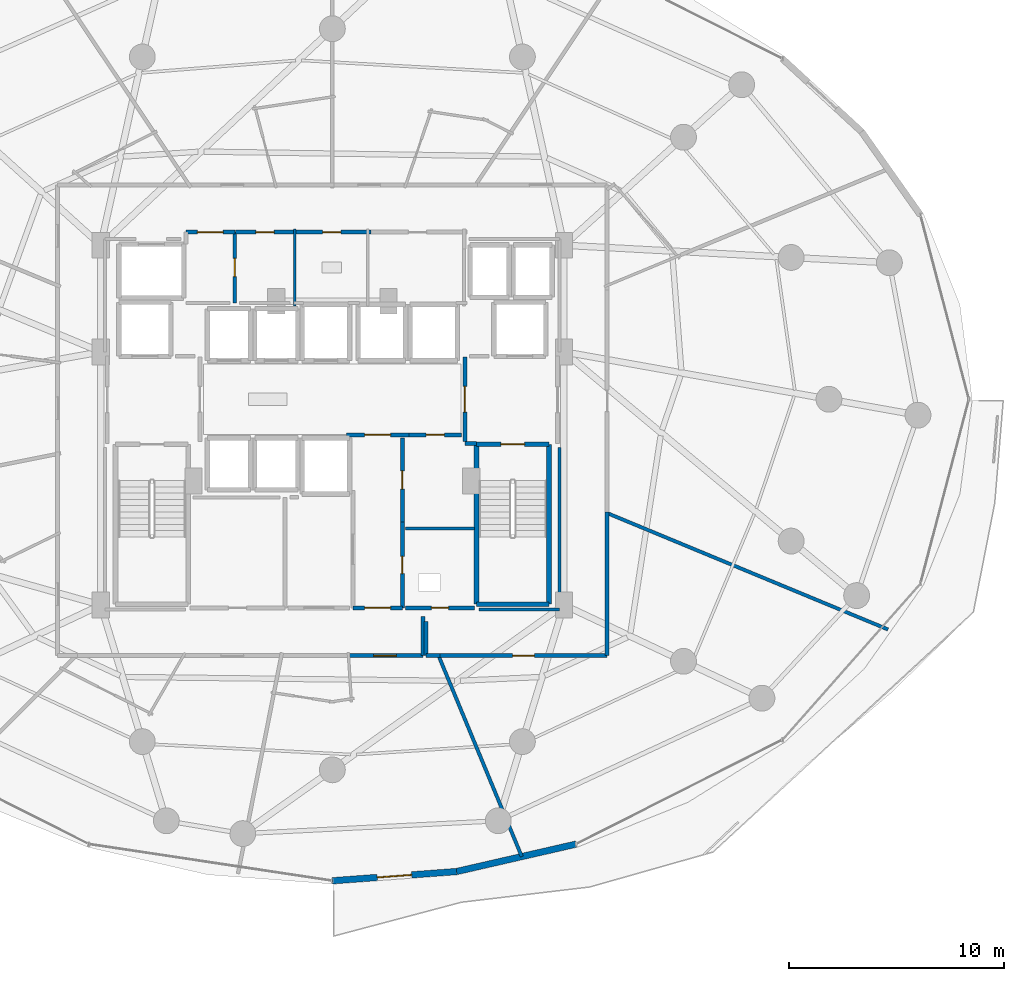
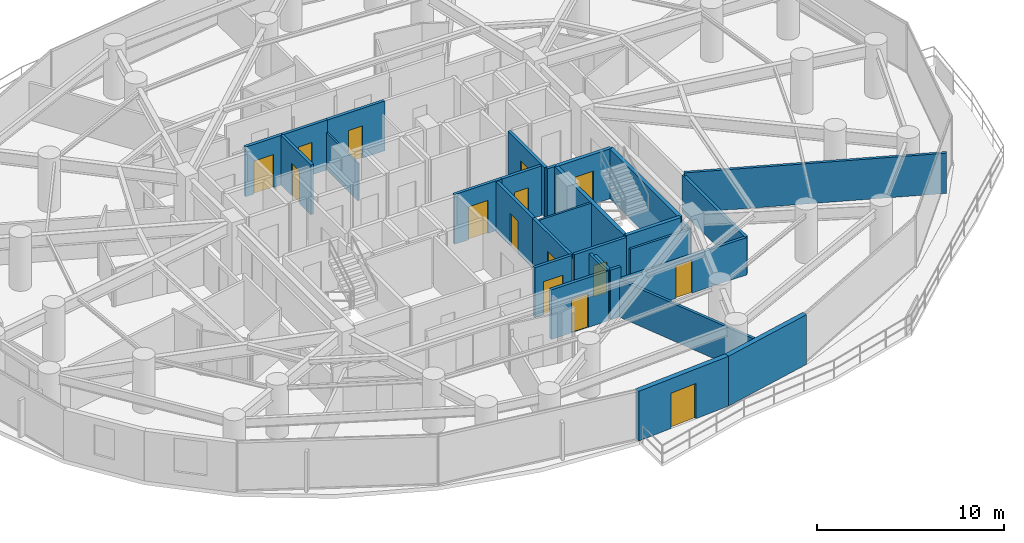
# One storey, part 29 of 35: 30 walls, 15 doors, 15 openings.
"""IFC4 building model written with IfcOpenShell, lengths in metres."""

import ifcopenshell
import ifcopenshell.guid

model = None  # the IFC model being written
_history = None  # IfcOwnerHistory: only IFC2X3 demands one
_inside = {}  # id of a spatial element -> (the spatial element, [elements in it])
_under = {}  # id of a project, library or spatial element -> (it, [spatial elements below it])
_declared = {}  # id of a project -> (the project, [libraries it declares])
_typed = {}  # id of a type object -> (the type object, [elements of that type])
_made_of = {}  # id of a material, layer set ... -> (it, [elements and type objects made of it])


def new_model(schema):
    """Start an empty IFC model of exactly this schema.

    Asked for "IFC4X3", IfcOpenShell would pick the latest addendum, in which some entities
    have other attributes; the version numbers below select the first issue.
    IFC2X3 requires an IfcOwnerHistory on every rooted entity: one is made here for all.
    """
    global model, _history
    if schema == "IFC4X3":
        model = ifcopenshell.file(schema_version=(4, 3, 0, 0))
    else:
        model = ifcopenshell.file(schema=schema)
    _inside.clear()
    _under.clear()
    _declared.clear()
    _typed.clear()
    _made_of.clear()
    _history = None
    if model.schema == "IFC2X3":
        org = make("IfcOrganization", Name="unknown")
        user = make(
            "IfcPersonAndOrganization",
            ThePerson=make("IfcPerson", FamilyName="unknown"),
            TheOrganization=org,
        )
        app = make(
            "IfcApplication",
            ApplicationDeveloper=org,
            Version="unknown",
            ApplicationFullName="unknown",
            ApplicationIdentifier="unknown",
        )
        _history = make(
            "IfcOwnerHistory",
            OwningUser=user,
            OwningApplication=app,
            ChangeAction="ADDED",
            CreationDate=0,
        )
    return model


def make(cls, **values):
    """One entity of the class cls with the attributes given. An attribute that is None is left unset."""
    return model.create_entity(
        cls, **{name: value for name, value in values.items() if value is not None}
    )


def rooted(cls, **values):
    """An entity with a GlobalId (a new one), such as an element, a storey or a relation."""
    return make(cls, GlobalId=ifcopenshell.guid.new(), OwnerHistory=_history, **values)


def si_unit(unit_type, name, prefix=None):
    """IfcSIUnit, for example si_unit("LENGTHUNIT", "METRE", prefix="MILLI")."""
    return make("IfcSIUnit", UnitType=unit_type, Prefix=prefix, Name=name)


def assignment(units):
    """IfcUnitAssignment: the units of a project."""
    return None if units is None else make("IfcUnitAssignment", Units=units)


def point(xyz):
    """IfcCartesianPoint."""
    return None if xyz is None else make("IfcCartesianPoint", Coordinates=xyz)


def direction(xyz):
    """IfcDirection."""
    return None if xyz is None else make("IfcDirection", DirectionRatios=xyz)


def frame(location, z_axis=None, x_axis=None):
    """IfcAxis2Placement3D, a coordinate frame: its origin and axes. An axis left out is left unset."""
    return make(
        "IfcAxis2Placement3D",
        Location=point(location),
        Axis=direction(z_axis),
        RefDirection=direction(x_axis),
    )


def frame_2d(location, x_axis=None):
    """IfcAxis2Placement2D, a coordinate frame in the plane: its origin and x axis."""
    return make(
        "IfcAxis2Placement2D", Location=point(location), RefDirection=direction(x_axis)
    )


def origin():
    """The frame at (0, 0, 0) with its axes left unset."""
    return frame((0.0, 0.0, 0.0))


def place(relative_to, where):
    """IfcLocalPlacement: puts the frame where relative to a parent placement (None: the world)."""
    return make(
        "IfcLocalPlacement", PlacementRelTo=relative_to, RelativePlacement=where
    )


def context(
    kind, dimensions, precision=None, world=None, true_north=None, identifier=None
):
    """IfcGeometricRepresentationContext, for example the 3D "Model" context."""
    return make(
        "IfcGeometricRepresentationContext",
        ContextIdentifier=identifier,
        ContextType=kind,
        CoordinateSpaceDimension=dimensions,
        Precision=precision,
        WorldCoordinateSystem=world,
        TrueNorth=true_north,
    )


def subcontext(parent, identifier, kind, view, scale=None):
    """IfcGeometricRepresentationSubContext, for example "Body" below "Model"."""
    return make(
        "IfcGeometricRepresentationSubContext",
        ContextIdentifier=identifier,
        ContextType=kind,
        ParentContext=parent,
        TargetScale=scale,
        TargetView=view,
    )


def project(units=None, contexts=None):
    """IfcProject with its units and contexts."""
    return rooted(
        "IfcProject",
        Name="project",
        RepresentationContexts=contexts,
        UnitsInContext=assignment(units),
    )


def spatial(cls, under=None, at=None, **own):
    """A site, building, storey or space (cls), placed at a placement, below another one or the project."""
    s = rooted(cls, ObjectPlacement=at, **own)
    if under is not None:
        _under.setdefault(under.id(), (under, []))[1].append(s)
    return s


def profile(cls, at=None, kind="AREA", **sizes):
    """A parametric profile (cls). Its sizes go by their IFC names, for example OverallWidth=200.0."""
    return make(cls, ProfileType=kind, Position=at, **sizes)


def rectangle(**sizes):
    """IfcRectangleProfileDef."""
    return profile("IfcRectangleProfileDef", **sizes)


def extrude(swept, where, along, depth):
    """IfcExtrudedAreaSolid: the profile swept, set in the frame where, extruded along a direction by depth."""
    return make(
        "IfcExtrudedAreaSolid",
        SweptArea=swept,
        Position=where,
        ExtrudedDirection=direction(along),
        Depth=depth,
    )


def shape(context_of_items, identifier, shape_type, items):
    """IfcShapeRepresentation: the items that make up one representation, for example the "Body"."""
    return make(
        "IfcShapeRepresentation",
        ContextOfItems=context_of_items,
        RepresentationIdentifier=identifier,
        RepresentationType=shape_type,
        Items=items,
    )


def material(Name=None, Category=None):
    """IfcMaterial."""
    return make("IfcMaterial", Name=Name, Category=Category)


def layer(
    of_material, thickness, ventilated=None, Name=None, Category=None, Priority=None
):
    """IfcMaterialLayer: one layer of a wall or slab, of a material (None: an air gap)."""
    return make(
        "IfcMaterialLayer",
        Material=of_material,
        LayerThickness=thickness,
        IsVentilated=ventilated,
        Name=Name,
        Category=Category,
        Priority=Priority,
    )


def layer_set(layers, Name=None):
    """IfcMaterialLayerSet."""
    return make("IfcMaterialLayerSet", MaterialLayers=layers, LayerSetName=Name)


def made_of(thing, what):
    """Note that an element or type object is made of a material, layer set ...; save() writes the relation."""
    if what is not None:
        _made_of.setdefault(what.id(), (what, []))[1].append(thing)
    return thing


def type_object(cls, material=None, **own):
    """A type object (cls), such as IfcWallType, which elements share."""
    return made_of(rooted(cls, **own), material)


def element(
    cls,
    number,
    at=None,
    inside=None,
    cuts=None,
    type_object=None,
    material=None,
    context=None,
    identifier="Body",
    shape_type=None,
    held_by="IfcProductDefinitionShape",
    body=None,
    shapes=None,
    **own,
):
    """One element of the class cls, such as IfcWall. Its Tag is "e" and its number.

    at: its placement. inside: the storey or other place that contains it. cuts: it is an
    opening in that element (IfcRelVoidsElement). A single representation is given by context,
    identifier, shape_type and body (its items); several are given by shapes. held_by: the class
    of the entity that holds the representations. save() writes the other relations.
    """
    e = rooted(cls, Tag="e%d" % number, ObjectPlacement=at, **own)
    if body is not None:
        shapes = [shape(context, identifier, shape_type, body)]
    if shapes is not None:
        e.Representation = make(held_by, Representations=shapes)
    if inside is not None:
        _inside.setdefault(inside.id(), (inside, []))[1].append(e)
    if cuts is not None:
        rooted(
            "IfcRelVoidsElement", RelatingBuildingElement=cuts, RelatedOpeningElement=e
        )
    if type_object is not None:
        _typed.setdefault(type_object.id(), (type_object, []))[1].append(e)
    return made_of(e, material)


def fill(opening, filler):
    """IfcRelFillsElement: the door or window that sits in an opening."""
    return rooted(
        "IfcRelFillsElement",
        RelatingOpeningElement=opening,
        RelatedBuildingElement=filler,
    )


def aggregate(whole, parts):
    """IfcRelAggregates: a whole, such as a stair, and the parts it consists of."""
    return rooted("IfcRelAggregates", RelatingObject=whole, RelatedObjects=parts)


def save(model, path):
    """Write the relations noted so far, then the file.

    IfcRelAggregates (storeys below a building ...), IfcRelContainedInSpatialStructure (elements
    in a storey), IfcRelDefinesByType, IfcRelAssociatesMaterial and IfcRelDeclares: one each for
    every whole, place, type object, material and project.
    """
    for whole, parts in _under.values():
        aggregate(whole, parts)
    for where, things in _inside.values():
        rooted(
            "IfcRelContainedInSpatialStructure",
            RelatedElements=things,
            RelatingStructure=where,
        )
    for kind, things in _typed.values():
        rooted("IfcRelDefinesByType", RelatedObjects=things, RelatingType=kind)
    for what, things in _made_of.values():
        rooted("IfcRelAssociatesMaterial", RelatedObjects=things, RelatingMaterial=what)
    for by, libraries in _declared.values():
        rooted("IfcRelDeclares", RelatingContext=by, RelatedDefinitions=libraries)
    model.write(path)


model = new_model("IFC4")

# Units and contexts
model_context = context("Model", 3, precision=1e-05, world=origin(), true_north=direction((0.0, 1.0)))
body_context = subcontext(model_context, "Body", "Model", "MODEL_VIEW")
ifc_project = project(units=[si_unit("LENGTHUNIT", "METRE"), si_unit("AREAUNIT", "SQUARE_METRE"), si_unit("VOLUMEUNIT", "CUBIC_METRE"), si_unit("PLANEANGLEUNIT", "RADIAN"), si_unit("MASSUNIT", "GRAM", prefix="KILO")], contexts=[model_context])

# Site, building, storey
site_placement = place(None, origin())
site = spatial("IfcSite", under=ifc_project, at=site_placement, CompositionType="ELEMENT")
building_placement = place(site_placement, origin())
building = spatial("IfcBuilding", under=site, at=building_placement, Name="Vorneva Point Tower", CompositionType="ELEMENT")
storey_placement = place(building_placement, frame((0.0, 0.0, 52.0)))
storey = spatial("IfcBuildingStorey", under=building, at=storey_placement, Name="L13", CompositionType="ELEMENT", Elevation=52.0)

# Wall, opening, door
ifc_material_1 = material(Name="Precast concrete B50 (C40/50)", Category="concrete")
ifc_layer_1 = layer(ifc_material_1, 0.300048828125)
ifc_layer_set_1 = layer_set([ifc_layer_1], Name="Precast concrete B50 (C40/50)")
wall_type_1 = type_object("IfcWallType", Name="WL-EXT-300", PredefinedType="STANDARD", material=ifc_layer_set_1)
wall_1_placement = place(storey_placement, frame((38.0, 3.64990234375, 0.0), z_axis=(0.0, 0.0, 1.0), x_axis=(0.99723690101, 0.074287032943, 0.0)))
wall_1 = element("IfcWall", 1, at=wall_1_placement, inside=storey, type_object=wall_type_1, Name="L13 Pale-Metal Facade Spandrel Wall 13.1", PredefinedType="STANDARD", context=body_context, shape_type="SweptSolid", body=[
    extrude(rectangle(XDim=5.78076171875, YDim=0.300048828125, at=frame_2d((2.890380859375, 0.0))), origin(), (0.0, 0.0, 1.0), 3.239990234375),
])
opening_1_placement = place(wall_1_placement, frame((2.09033203125, 0.0, 0.0)))
opening_1 = element("IfcOpeningElement", 2, at=opening_1_placement, cuts=wall_1, Name="Opening BD-01", PredefinedType="OPENING", context=body_context, shape_type="SweptSolid", body=[
    extrude(rectangle(XDim=1.60009765625, YDim=2.300048828125, at=frame_2d((0.800048828125, 1.14990234375))), frame((0.0, 0.1650390625, 0.0), z_axis=(0.0, -1.0, 0.0), x_axis=(1.0, 0.0, 0.0)), (0.0, 0.0, 1.0), 0.329833984375),
])
ifc_material_2 = material(Name="Pale anodised aluminium", Category="aluminium")
door_type_1 = type_object("IfcDoorType", Name="DR-BAL-1600", OperationType="SLIDING_TO_LEFT", PredefinedType="DOOR", material=ifc_material_2)
door_1_placement = place(opening_1_placement, origin())
door_1 = element("IfcDoor", 3, at=door_1_placement, inside=storey, type_object=door_type_1, Name="L13 Balcony Terrace Access Door 13", OperationType="SLIDING_TO_LEFT", OverallHeight=2.300048828125, OverallWidth=1.60009765625, PredefinedType="DOOR", context=body_context, shape_type="SweptSolid", body=[
    extrude(rectangle(XDim=1.60009765625, YDim=2.300048828125, at=frame_2d((0.800048828125, 1.14990234375))), frame((0.0, 0.02490234375, 0.0), z_axis=(0.0, -1.0, 0.0), x_axis=(1.0, 0.0, 0.0)), (0.0, 0.0, 1.0), 0.050048828125),
])
fill(opening_1, door_1)

# Walls
wall_2_placement = place(storey_placement, frame((43.764892578125, 4.079345703125, 0.0), z_axis=(0.0, 0.0, 1.0), x_axis=(0.974671141646, 0.223642942305, 0.0)))
element("IfcWall", 4, at=wall_2_placement, inside=storey, type_object=wall_type_1, Name="L13 Pale-Metal Facade Spandrel Wall 13.2", PredefinedType="STANDARD", context=body_context, shape_type="SweptSolid", body=[
    extrude(rectangle(XDim=5.6875, YDim=0.300048828125, at=frame_2d((2.84375, 0.0))), origin(), (0.0, 0.0, 1.0), 3.239990234375),
])
ifc_material_3 = material(Name="Fire-rated acoustic gypsum stud partition", Category="gypsum")
ifc_layer_2 = layer(ifc_material_3, 0.110107421875)
ifc_layer_set_2 = layer_set([ifc_layer_2], Name="Fire-rated acoustic gypsum stud partition")
wall_type_2 = type_object("IfcWallType", Name="WL-PART-110", PredefinedType="PARTITIONING", material=ifc_layer_set_2)
wall_3_placement = place(storey_placement, frame((36.25, 30.340087890625, 0.0), z_axis=(0.0, 0.0, 1.0), x_axis=(0.0, 1.0, 0.0)))
element("IfcWall", 5, at=wall_3_placement, inside=storey, type_object=wall_type_2, Name="L13 Interior Partition 017", PredefinedType="PARTITIONING", context=body_context, shape_type="SweptSolid", body=[
    extrude(rectangle(XDim=3.559814453125, YDim=0.110107421875, at=frame_2d((1.77978515625, 0.0))), origin(), (0.0, 0.0, 1.0), 2.431884765625),
])
ifc_layer_3 = layer(ifc_material_3, 0.125)
ifc_layer_set_3 = layer_set([ifc_layer_3], Name="Fire-rated acoustic gypsum stud partition")
wall_type_3 = type_object("IfcWallType", Name="WL-PART-125", PredefinedType="PARTITIONING", material=ifc_layer_set_3)
wall_4_placement = place(storey_placement, frame((44.60009765625, 20.0, 0.0), z_axis=(0.0, 0.0, 1.0), x_axis=(-1.0, 0.0, 0.0)))
element("IfcWall", 6, at=wall_4_placement, inside=storey, type_object=wall_type_3, Name="L13 Interior Partition 015", PredefinedType="PARTITIONING", context=body_context, shape_type="SweptSolid", body=[
    extrude(rectangle(XDim=3.2001953125, YDim=0.125, at=frame_2d((1.60009765625, 0.0))), origin(), (0.0, 0.0, 1.0), 3.239990234375),
])
ifc_layer_4 = layer(ifc_material_3, 0.139892578125)
ifc_layer_set_4 = layer_set([ifc_layer_4], Name="Fire-rated acoustic gypsum stud partition")
wall_type_4 = type_object("IfcWallType", Name="WL-PART-140", PredefinedType="PARTITIONING", material=ifc_layer_set_4)
wall_5_placement = place(storey_placement, frame((48.550048828125, 23.75390625, 0.0), z_axis=(0.0, 0.0, 1.0), x_axis=(0.0, -1.0, 0.0)))
element("IfcWall", 7, at=wall_5_placement, inside=storey, type_object=wall_type_4, Name="L13 Interior Closure Partition 101", PredefinedType="PARTITIONING", context=body_context, shape_type="SweptSolid", body=[
    extrude(rectangle(XDim=7.513916015625, YDim=0.139892578125, at=frame_2d((3.7568359375, 0.0))), origin(), (0.0, 0.0, 1.0), 2.431884765625),
])
wall_6_placement = place(storey_placement, frame((48.550048828125, 16.239990234375, 0.0), z_axis=(0.0, 0.0, 1.0), x_axis=(-1.0, 0.0, 0.0)))
element("IfcWall", 8, at=wall_6_placement, inside=storey, type_object=wall_type_4, Name="L13 Interior Closure Partition 102", PredefinedType="PARTITIONING", context=body_context, shape_type="SweptSolid", body=[
    extrude(rectangle(XDim=3.7451171875, YDim=0.139892578125, at=frame_2d((1.87255859375, 0.0))), origin(), (0.0, 0.0, 1.0), 2.431884765625),
])
ifc_layer_5 = layer(ifc_material_3, 0.159912109375)
ifc_layer_set_5 = layer_set([ifc_layer_5], Name="Fire-rated acoustic gypsum stud partition")
wall_type_5 = type_object("IfcWallType", Name="WL-PART-160", PredefinedType="PARTITIONING", material=ifc_layer_set_5)
wall_7_placement = place(storey_placement, frame((46.7919921875, 4.77490234375, 0.0), z_axis=(0.0, 0.0, 1.0), x_axis=(-0.382718503749, 0.923865004689, 0.0)))
element("IfcWall", 9, at=wall_7_placement, inside=storey, type_object=wall_type_5, Name="L13 Interior Partition 087", PredefinedType="PARTITIONING", context=body_context, shape_type="SweptSolid", body=[
    extrude(rectangle(XDim=10.09375, YDim=0.159912109375, at=frame_2d((5.046875, 0.0))), origin(), (0.0, 0.0, 1.0), 2.431884765625),
])
wall_8_placement = place(storey_placement, frame((63.79296875, 15.31591796875, 0.0), z_axis=(0.0, 0.0, 1.0), x_axis=(-0.923866969846, 0.382713759914, 0.0)))
element("IfcWall", 10, at=wall_8_placement, inside=storey, type_object=wall_type_5, Name="L13 Interior Partition 088", PredefinedType="PARTITIONING", context=body_context, shape_type="SweptSolid", body=[
    extrude(rectangle(XDim=14.117919921875, YDim=0.159912109375, at=frame_2d((7.05908203125, 0.0))), origin(), (0.0, 0.0, 1.0), 2.6240234375),
])

# Wall, opening, door
ifc_material_4 = material(Name="Autoclaved aerated concrete blockwork", Category="masonry")
ifc_layer_6 = layer(ifc_material_4, 0.179931640625)
ifc_layer_set_6 = layer_set([ifc_layer_6], Name="Autoclaved aerated concrete blockwork")
wall_type_6 = type_object("IfcWallType", Name="WL-PART-180", PredefinedType="PARTITIONING", material=ifc_layer_set_6)
wall_9_placement = place(storey_placement, frame((44.14990234375, 27.955078125, 0.0), z_axis=(0.0, 0.0, 1.0), x_axis=(0.0, -1.0, 0.0)))
wall_9 = element("IfcWall", 11, at=wall_9_placement, inside=storey, type_object=wall_type_6, Name="L13 Interior Partition 003", PredefinedType="PARTITIONING", context=body_context, shape_type="SweptSolid", body=[
    extrude(rectangle(XDim=3.91015625, YDim=0.179931640625, at=frame_2d((1.955078125, 0.0))), origin(), (0.0, 0.0, 1.0), 3.239990234375),
])
opening_2_placement = place(wall_9_placement, frame((1.35498046875, 0.0, 0.0)))
opening_2 = element("IfcOpeningElement", 12, at=opening_2_placement, cuts=wall_9, Name="Opening FD-02", PredefinedType="OPENING", context=body_context, shape_type="SweptSolid", body=[
    extrude(rectangle(XDim=1.199951171875, YDim=2.14990234375, at=frame_2d((0.60009765625, 1.074951171875))), frame((0.0, 0.10498046875, 0.0), z_axis=(0.0, -1.0, 0.0), x_axis=(1.0, 0.0, 0.0)), (0.0, 0.0, 1.0), 0.209716796875),
])
ifc_material_5 = material(Name="Fire-rated powder-coated steel", Category="steel")
door_type_2 = type_object("IfcDoorType", Name="DR-FFL-1200", OperationType="NOTDEFINED", PredefinedType="DOOR", material=ifc_material_5)
door_2_placement = place(opening_2_placement, origin())
door_2 = element("IfcDoor", 13, at=door_2_placement, inside=storey, type_object=door_type_2, Name="L13 Door East Firefighting Lobby / Central Lift Lobby", OperationType="SINGLE_SWING_LEFT", OverallHeight=2.14990234375, OverallWidth=1.199951171875, PredefinedType="DOOR", context=body_context, shape_type="SweptSolid", body=[
    extrude(rectangle(XDim=1.199951171875, YDim=2.14990234375, at=frame_2d((0.60009765625, 1.074951171875))), frame((0.0, 0.02490234375, 0.0), z_axis=(0.0, -1.0, 0.0), x_axis=(1.0, 0.0, 0.0)), (0.0, 0.0, 1.0), 0.050048828125),
])
fill(opening_2, door_2)

# Wall
wall_10_placement = place(storey_placement, frame((44.14990234375, 23.949951171875, 0.0), z_axis=(0.0, 0.0, 1.0), x_axis=(1.0, 0.0, 0.0)))
element("IfcWall", 14, at=wall_10_placement, inside=storey, type_object=wall_type_6, Name="L13 Interior Partition 004", PredefinedType="PARTITIONING", context=body_context, shape_type="SweptSolid", body=[
    extrude(rectangle(XDim=0.5400390625, YDim=0.179931640625, at=frame_2d((0.27001953125, 0.0))), origin(), (0.0, 0.0, 1.0), 3.239990234375),
])

# Wall, opening, door
wall_11_placement = place(storey_placement, frame((33.469970703125, 30.47998046875, 0.0), z_axis=(0.0, 0.0, 1.0), x_axis=(0.0, 1.0, 0.0)))
wall_11 = element("IfcWall", 15, at=wall_11_placement, inside=storey, type_object=wall_type_6, Name="L13 Interior Partition 006", PredefinedType="PARTITIONING", context=body_context, shape_type="SweptSolid", body=[
    extrude(rectangle(XDim=3.280029296875, YDim=0.179931640625, at=frame_2d((1.64013671875, 0.0))), origin(), (0.0, 0.0, 1.0), 3.239990234375),
])
opening_3_placement = place(wall_11_placement, frame((1.215087890625, 0.0, 0.0)))
opening_3 = element("IfcOpeningElement", 16, at=opening_3_placement, cuts=wall_11, Name="Opening ID-02", PredefinedType="OPENING", context=body_context, shape_type="SweptSolid", body=[
    extrude(rectangle(XDim=0.85009765625, YDim=2.10009765625, at=frame_2d((0.425048828125, 1.050048828125))), frame((0.0, 0.10498046875, 0.0), z_axis=(0.0, -1.0, 0.0), x_axis=(1.0, 0.0, 0.0)), (0.0, 0.0, 1.0), 0.209716796875),
])
ifc_material_6 = material(Name="Engineered oak fire-rated door leaf", Category="wood")
door_type_3 = type_object("IfcDoorType", Name="DR-BATH-850", OperationType="NOTDEFINED", PredefinedType="DOOR", material=ifc_material_6)
door_3_placement = place(opening_3_placement, origin())
door_3 = element("IfcDoor", 17, at=door_3_placement, inside=storey, type_object=door_type_3, Name="L13 Door Service Lift Lobby / Core Supply Store", OperationType="SINGLE_SWING_LEFT", OverallHeight=2.10009765625, OverallWidth=0.85009765625, PredefinedType="DOOR", context=body_context, shape_type="SweptSolid", body=[
    extrude(rectangle(XDim=0.85009765625, YDim=2.10009765625, at=frame_2d((0.425048828125, 1.050048828125))), frame((0.0, 0.02490234375, 0.0), z_axis=(0.0, -1.0, 0.0), x_axis=(1.0, 0.0, 0.0)), (0.0, 0.0, 1.0), 0.050048828125),
])
fill(opening_3, door_3)

wall_12_placement = place(storey_placement, frame((33.469970703125, 33.760009765625, 0.0), z_axis=(0.0, 0.0, 1.0), x_axis=(-1.0, 0.0, 0.0)))
wall_12 = element("IfcWall", 18, at=wall_12_placement, inside=storey, type_object=wall_type_6, Name="L13 Interior Partition 007", PredefinedType="PARTITIONING", context=body_context, shape_type="SweptSolid", body=[
    extrude(rectangle(XDim=2.27001953125, YDim=0.179931640625, at=frame_2d((1.135009765625, 0.0))), origin(), (0.0, 0.0, 1.0), 3.239990234375),
])
opening_4_placement = place(wall_12_placement, frame((0.534912109375, 0.0, 0.0)))
opening_4 = element("IfcOpeningElement", 19, at=opening_4_placement, cuts=wall_12, Name="Opening FD-02", PredefinedType="OPENING", context=body_context, shape_type="SweptSolid", body=[
    extrude(rectangle(XDim=1.199951171875, YDim=2.14990234375, at=frame_2d((0.60009765625, 1.074951171875))), frame((0.0, 0.10498046875, 0.0), z_axis=(0.0, -1.0, 0.0), x_axis=(1.0, 0.0, 0.0)), (0.0, 0.0, 1.0), 0.209716796875),
])
door_4_placement = place(opening_4_placement, origin())
door_4 = element("IfcDoor", 20, at=door_4_placement, inside=storey, type_object=door_type_2, Name="L13 Door Service Lift Lobby / L13 Circulation Corridor", OperationType="SINGLE_SWING_RIGHT", OverallHeight=2.14990234375, OverallWidth=1.199951171875, PredefinedType="DOOR", context=body_context, shape_type="SweptSolid", body=[
    extrude(rectangle(XDim=1.199951171875, YDim=2.14990234375, at=frame_2d((0.60009765625, 1.074951171875))), frame((0.0, 0.02490234375, 0.0), z_axis=(0.0, -1.0, 0.0), x_axis=(1.0, 0.0, 0.0)), (0.0, 0.0, 1.0), 0.050048828125),
])
fill(opening_4, door_4)

wall_13_placement = place(storey_placement, frame((38.64501953125, 24.35009765625, 0.0), z_axis=(0.0, 0.0, 1.0), x_axis=(1.0, 0.0, 0.0)))
wall_13 = element("IfcWall", 21, at=wall_13_placement, inside=storey, type_object=wall_type_6, Name="L13 Interior Partition 009", PredefinedType="PARTITIONING", context=body_context, shape_type="SweptSolid", body=[
    extrude(rectangle(XDim=2.909912109375, YDim=0.179931640625, at=frame_2d((1.455078125, 0.0))), origin(), (0.0, 0.0, 1.0), 3.239990234375),
])
opening_5_placement = place(wall_13_placement, frame((0.85498046875, 0.0, 0.0)))
opening_5 = element("IfcOpeningElement", 22, at=opening_5_placement, cuts=wall_13, Name="Opening FD-02", PredefinedType="OPENING", context=body_context, shape_type="SweptSolid", body=[
    extrude(rectangle(XDim=1.199951171875, YDim=2.14990234375, at=frame_2d((0.60009765625, 1.074951171875))), frame((0.0, 0.10498046875, 0.0), z_axis=(0.0, -1.0, 0.0), x_axis=(1.0, 0.0, 0.0)), (0.0, 0.0, 1.0), 0.209716796875),
])
door_5_placement = place(opening_5_placement, origin())
door_5 = element("IfcDoor", 23, at=door_5_placement, inside=storey, type_object=door_type_2, Name="L13 Door Central Lift Lobby / Core Service Lobby", OperationType="SINGLE_SWING_LEFT", OverallHeight=2.14990234375, OverallWidth=1.199951171875, PredefinedType="DOOR", context=body_context, shape_type="SweptSolid", body=[
    extrude(rectangle(XDim=1.199951171875, YDim=2.14990234375, at=frame_2d((0.60009765625, 1.074951171875))), frame((0.0, 0.02490234375, 0.0), z_axis=(0.0, -1.0, 0.0), x_axis=(1.0, 0.0, 0.0)), (0.0, 0.0, 1.0), 0.050048828125),
])
fill(opening_5, door_5)

wall_14_placement = place(storey_placement, frame((41.554931640625, 24.35009765625, 0.0), z_axis=(0.0, 0.0, 1.0), x_axis=(1.0, 0.0, 0.0)))
wall_14 = element("IfcWall", 24, at=wall_14_placement, inside=storey, type_object=wall_type_6, Name="L13 Interior Partition 010", PredefinedType="PARTITIONING", context=body_context, shape_type="SweptSolid", body=[
    extrude(rectangle(XDim=2.445068359375, YDim=0.179931640625, at=frame_2d((1.22265625, 0.0))), origin(), (0.0, 0.0, 1.0), 3.239990234375),
])
opening_6_placement = place(wall_14_placement, frame((0.797607421875, 0.0, 0.0)))
opening_6 = element("IfcOpeningElement", 25, at=opening_6_placement, cuts=wall_14, Name="Opening ID-02", PredefinedType="OPENING", context=body_context, shape_type="SweptSolid", body=[
    extrude(rectangle(XDim=0.85009765625, YDim=2.10009765625, at=frame_2d((0.425048828125, 1.050048828125))), frame((0.0, 0.10498046875, 0.0), z_axis=(0.0, -1.0, 0.0), x_axis=(1.0, 0.0, 0.0)), (0.0, 0.0, 1.0), 0.209716796875),
])
door_6_placement = place(opening_6_placement, origin())
door_6 = element("IfcDoor", 26, at=door_6_placement, inside=storey, type_object=door_type_3, Name="L13 Door Central Lift Lobby / Valet and Parcel Room", OperationType="SINGLE_SWING_RIGHT", OverallHeight=2.10009765625, OverallWidth=0.85009765625, PredefinedType="DOOR", context=body_context, shape_type="SweptSolid", body=[
    extrude(rectangle(XDim=0.85009765625, YDim=2.10009765625, at=frame_2d((0.425048828125, 1.050048828125))), frame((0.0, 0.02490234375, 0.0), z_axis=(0.0, -1.0, 0.0), x_axis=(1.0, 0.0, 0.0)), (0.0, 0.0, 1.0), 0.050048828125),
])
fill(opening_6, door_6)

wall_15_placement = place(storey_placement, frame((41.25, 16.320068359375, 0.0), z_axis=(0.0, 0.0, 1.0), x_axis=(0.0, 1.0, 0.0)))
wall_15 = element("IfcWall", 27, at=wall_15_placement, inside=storey, type_object=wall_type_6, Name="L13 Interior Partition 011", PredefinedType="PARTITIONING", context=body_context, shape_type="SweptSolid", body=[
    extrude(rectangle(XDim=3.98486328125, YDim=0.179931640625, at=frame_2d((1.992431640625, 0.0))), origin(), (0.0, 0.0, 1.0), 3.239990234375),
])
opening_7_placement = place(wall_15_placement, frame((1.592529296875, 0.0, 0.0)))
opening_7 = element("IfcOpeningElement", 28, at=opening_7_placement, cuts=wall_15, Name="Opening RD-01", PredefinedType="OPENING", context=body_context, shape_type="SweptSolid", body=[
    extrude(rectangle(XDim=0.800048828125, YDim=2.050048828125, at=frame_2d((0.39990234375, 1.02490234375))), frame((0.0, 0.10498046875, 0.0), z_axis=(0.0, -1.0, 0.0), x_axis=(1.0, 0.0, 0.0)), (0.0, 0.0, 1.0), 0.209716796875),
])
door_type_4 = type_object("IfcDoorType", Name="DR-RSR-800", OperationType="SINGLE_SWING_LEFT", PredefinedType="DOOR", material=ifc_material_5)
door_7_placement = place(opening_7_placement, origin())
door_7 = element("IfcDoor", 29, at=door_7_placement, inside=storey, type_object=door_type_4, Name="L13 Door Core Service Lobby / Electrical Riser", OperationType="SINGLE_SWING_LEFT", OverallHeight=2.050048828125, OverallWidth=0.800048828125, PredefinedType="DOOR", context=body_context, shape_type="SweptSolid", body=[
    extrude(rectangle(XDim=0.800048828125, YDim=2.050048828125, at=frame_2d((0.39990234375, 1.02490234375))), frame((0.0, 0.02490234375, 0.0), z_axis=(0.0, -1.0, 0.0), x_axis=(1.0, 0.0, 0.0)), (0.0, 0.0, 1.0), 0.050048828125),
])
fill(opening_7, door_7)

wall_16_placement = place(storey_placement, frame((41.25, 20.304931640625, 0.0), z_axis=(0.0, 0.0, 1.0), x_axis=(0.0, 1.0, 0.0)))
wall_16 = element("IfcWall", 30, at=wall_16_placement, inside=storey, type_object=wall_type_6, Name="L13 Interior Partition 012", PredefinedType="PARTITIONING", context=body_context, shape_type="SweptSolid", body=[
    extrude(rectangle(XDim=3.89501953125, YDim=0.179931640625, at=frame_2d((1.947509765625, 0.0))), origin(), (0.0, 0.0, 1.0), 3.239990234375),
])
opening_8_placement = place(wall_16_placement, frame((1.5224609375, 0.0, 0.0)))
opening_8 = element("IfcOpeningElement", 31, at=opening_8_placement, cuts=wall_16, Name="Opening ID-02", PredefinedType="OPENING", context=body_context, shape_type="SweptSolid", body=[
    extrude(rectangle(XDim=0.85009765625, YDim=2.10009765625, at=frame_2d((0.425048828125, 1.050048828125))), frame((0.0, 0.10498046875, 0.0), z_axis=(0.0, -1.0, 0.0), x_axis=(1.0, 0.0, 0.0)), (0.0, 0.0, 1.0), 0.209716796875),
])
door_8_placement = place(opening_8_placement, origin())
door_8 = element("IfcDoor", 32, at=door_8_placement, inside=storey, type_object=door_type_3, Name="L13 Door Core Service Lobby / Valet and Parcel Room", OperationType="SINGLE_SWING_RIGHT", OverallHeight=2.10009765625, OverallWidth=0.85009765625, PredefinedType="DOOR", context=body_context, shape_type="SweptSolid", body=[
    extrude(rectangle(XDim=0.85009765625, YDim=2.10009765625, at=frame_2d((0.425048828125, 1.050048828125))), frame((0.0, 0.02490234375, 0.0), z_axis=(0.0, -1.0, 0.0), x_axis=(1.0, 0.0, 0.0)), (0.0, 0.0, 1.0), 0.050048828125),
])
fill(opening_8, door_8)

wall_17_placement = place(storey_placement, frame((38.949951171875, 16.320068359375, 0.0), z_axis=(0.0, 0.0, 1.0), x_axis=(1.0, 0.0, 0.0)))
wall_17 = element("IfcWall", 33, at=wall_17_placement, inside=storey, type_object=wall_type_6, Name="L13 Interior Partition 014", PredefinedType="PARTITIONING", context=body_context, shape_type="SweptSolid", body=[
    extrude(rectangle(XDim=2.300048828125, YDim=0.179931640625, at=frame_2d((1.14990234375, 0.0))), origin(), (0.0, 0.0, 1.0), 3.239990234375),
])
opening_9_placement = place(wall_17_placement, frame((0.550048828125, 0.0, 0.0)))
opening_9 = element("IfcOpeningElement", 34, at=opening_9_placement, cuts=wall_17, Name="Opening FD-02", PredefinedType="OPENING", context=body_context, shape_type="SweptSolid", body=[
    extrude(rectangle(XDim=1.199951171875, YDim=2.14990234375, at=frame_2d((0.60009765625, 1.074951171875))), frame((0.0, 0.10498046875, 0.0), z_axis=(0.0, -1.0, 0.0), x_axis=(1.0, 0.0, 0.0)), (0.0, 0.0, 1.0), 0.209716796875),
])
door_9_placement = place(opening_9_placement, origin())
door_9 = element("IfcDoor", 35, at=door_9_placement, inside=storey, type_object=door_type_2, Name="L13 Door Core Service Lobby / L13 Circulation Corridor", OperationType="SINGLE_SWING_RIGHT", OverallHeight=2.14990234375, OverallWidth=1.199951171875, PredefinedType="DOOR", context=body_context, shape_type="SweptSolid", body=[
    extrude(rectangle(XDim=1.199951171875, YDim=2.14990234375, at=frame_2d((0.60009765625, 1.074951171875))), frame((0.0, 0.02490234375, 0.0), z_axis=(0.0, -1.0, 0.0), x_axis=(1.0, 0.0, 0.0)), (0.0, 0.0, 1.0), 0.050048828125),
])
fill(opening_9, door_9)

wall_18_placement = place(storey_placement, frame((41.39990234375, 16.320068359375, 0.0), z_axis=(0.0, 0.0, 1.0), x_axis=(1.0, 0.0, 0.0)))
wall_18 = element("IfcWall", 36, at=wall_18_placement, inside=storey, type_object=wall_type_6, Name="L13 Interior Partition 016", PredefinedType="PARTITIONING", context=body_context, shape_type="SweptSolid", body=[
    extrude(rectangle(XDim=3.2001953125, YDim=0.179931640625, at=frame_2d((1.60009765625, 0.0))), origin(), (0.0, 0.0, 1.0), 3.239990234375),
])
opening_10_placement = place(wall_18_placement, frame((1.199951171875, 0.0, 0.0)))
opening_10 = element("IfcOpeningElement", 37, at=opening_10_placement, cuts=wall_18, Name="Opening RD-01", PredefinedType="OPENING", context=body_context, shape_type="SweptSolid", body=[
    extrude(rectangle(XDim=0.800048828125, YDim=2.050048828125, at=frame_2d((0.39990234375, 1.02490234375))), frame((0.0, 0.10498046875, 0.0), z_axis=(0.0, -1.0, 0.0), x_axis=(1.0, 0.0, 0.0)), (0.0, 0.0, 1.0), 0.209716796875),
])
door_10_placement = place(opening_10_placement, origin())
door_10 = element("IfcDoor", 38, at=door_10_placement, inside=storey, type_object=door_type_4, Name="L13 Door Electrical Riser / L13 Circulation Corridor", OperationType="SINGLE_SWING_LEFT", OverallHeight=2.050048828125, OverallWidth=0.800048828125, PredefinedType="DOOR", context=body_context, shape_type="SweptSolid", body=[
    extrude(rectangle(XDim=0.800048828125, YDim=2.050048828125, at=frame_2d((0.39990234375, 1.02490234375))), frame((0.0, 0.02490234375, 0.0), z_axis=(0.0, -1.0, 0.0), x_axis=(1.0, 0.0, 0.0)), (0.0, 0.0, 1.0), 0.050048828125),
])
fill(opening_10, door_10)

wall_19_placement = place(storey_placement, frame((36.25, 33.760009765625, 0.0), z_axis=(0.0, 0.0, 1.0), x_axis=(-1.0, 0.0, 0.0)))
wall_19 = element("IfcWall", 39, at=wall_19_placement, inside=storey, type_object=wall_type_6, Name="L13 Interior Partition 018", PredefinedType="PARTITIONING", context=body_context, shape_type="SweptSolid", body=[
    extrude(rectangle(XDim=2.75, YDim=0.179931640625, at=frame_2d((1.375, 0.0))), origin(), (0.0, 0.0, 1.0), 3.239990234375),
])
opening_11_placement = place(wall_19_placement, frame((0.949951171875, 0.0, 0.0)))
opening_11 = element("IfcOpeningElement", 40, at=opening_11_placement, cuts=wall_19, Name="Opening ID-02", PredefinedType="OPENING", context=body_context, shape_type="SweptSolid", body=[
    extrude(rectangle(XDim=0.85009765625, YDim=2.10009765625, at=frame_2d((0.425048828125, 1.050048828125))), frame((0.0, 0.10498046875, 0.0), z_axis=(0.0, -1.0, 0.0), x_axis=(1.0, 0.0, 0.0)), (0.0, 0.0, 1.0), 0.209716796875),
])
door_11_placement = place(opening_11_placement, origin())
door_11 = element("IfcDoor", 41, at=door_11_placement, inside=storey, type_object=door_type_3, Name="L13 Door Core Supply Store / L13 Circulation Corridor", OperationType="SINGLE_SWING_RIGHT", OverallHeight=2.10009765625, OverallWidth=0.85009765625, PredefinedType="DOOR", context=body_context, shape_type="SweptSolid", body=[
    extrude(rectangle(XDim=0.85009765625, YDim=2.10009765625, at=frame_2d((0.425048828125, 1.050048828125))), frame((0.0, 0.02490234375, 0.0), z_axis=(0.0, -1.0, 0.0), x_axis=(1.0, 0.0, 0.0)), (0.0, 0.0, 1.0), 0.050048828125),
])
fill(opening_11, door_11)

wall_20_placement = place(storey_placement, frame((39.7900390625, 33.760009765625, 0.0), z_axis=(0.0, 0.0, 1.0), x_axis=(-1.0, 0.0, 0.0)))
wall_20 = element("IfcWall", 42, at=wall_20_placement, inside=storey, type_object=wall_type_6, Name="L13 Interior Partition 020", PredefinedType="PARTITIONING", context=body_context, shape_type="SweptSolid", body=[
    extrude(rectangle(XDim=3.630126953125, YDim=0.179931640625, at=frame_2d((1.81494140625, 0.0))), origin(), (0.0, 0.0, 1.0), 3.239990234375),
])
opening_12_placement = place(wall_20_placement, frame((1.389892578125, 0.0, 0.0)))
opening_12 = element("IfcOpeningElement", 43, at=opening_12_placement, cuts=wall_20, Name="Opening ID-02", PredefinedType="OPENING", context=body_context, shape_type="SweptSolid", body=[
    extrude(rectangle(XDim=0.85009765625, YDim=2.10009765625, at=frame_2d((0.425048828125, 1.050048828125))), frame((0.0, 0.10498046875, 0.0), z_axis=(0.0, -1.0, 0.0), x_axis=(1.0, 0.0, 0.0)), (0.0, 0.0, 1.0), 0.209716796875),
])
door_12_placement = place(opening_12_placement, origin())
door_12 = element("IfcDoor", 44, at=door_12_placement, inside=storey, type_object=door_type_3, Name="L13 Door Accessible WC / L13 Circulation Corridor", OperationType="SINGLE_SWING_LEFT", OverallHeight=2.10009765625, OverallWidth=0.85009765625, PredefinedType="DOOR", context=body_context, shape_type="SweptSolid", body=[
    extrude(rectangle(XDim=0.85009765625, YDim=2.10009765625, at=frame_2d((0.425048828125, 1.050048828125))), frame((0.0, 0.02490234375, 0.0), z_axis=(0.0, -1.0, 0.0), x_axis=(1.0, 0.0, 0.0)), (0.0, 0.0, 1.0), 0.050048828125),
])
fill(opening_12, door_12)

# Walls
wall_21_placement = place(storey_placement, frame((42.340087890625, 15.678955078125, 0.0), z_axis=(0.0, 0.0, 1.0), x_axis=(0.0, -1.0, 0.0)))
element("IfcWall", 45, at=wall_21_placement, inside=storey, type_object=wall_type_6, Name="L13 Interior Partition 042", PredefinedType="PARTITIONING", context=body_context, shape_type="SweptSolid", body=[
    extrude(rectangle(XDim=1.578857421875, YDim=0.179931640625, at=frame_2d((0.78955078125, 0.0))), origin(), (0.0, 0.0, 1.0), 3.239990234375),
])
wall_22_placement = place(storey_placement, frame((42.340087890625, 14.10009765625, 0.0), z_axis=(0.0, 0.0, 1.0), x_axis=(1.0, 0.0, 0.0)))
element("IfcWall", 46, at=wall_22_placement, inside=storey, type_object=wall_type_6, Name="L13 Interior Partition 043", PredefinedType="PARTITIONING", context=body_context, shape_type="SweptSolid", body=[
    extrude(rectangle(XDim=0.65380859375, YDim=0.179931640625, at=frame_2d((0.326904296875, 0.0))), origin(), (0.0, 0.0, 1.0), 3.239990234375),
])

# Wall, opening, door
wall_23_placement = place(storey_placement, frame((38.68896484375, 14.10009765625, 0.0), z_axis=(0.0, 0.0, 1.0), x_axis=(1.0, 0.0, 0.0)))
wall_23 = element("IfcWall", 47, at=wall_23_placement, inside=storey, type_object=wall_type_6, Name="L13 Interior Partition 044", PredefinedType="PARTITIONING", context=body_context, shape_type="SweptSolid", body=[
    extrude(rectangle(XDim=3.510986328125, YDim=0.179931640625, at=frame_2d((1.75537109375, 0.0))), origin(), (0.0, 0.0, 1.0), 3.239990234375),
])
opening_13_placement = place(wall_23_placement, frame((1.23046875, 0.0, 0.0)))
opening_13 = element("IfcOpeningElement", 48, at=opening_13_placement, cuts=wall_23, Name="Opening UD-02", PredefinedType="OPENING", context=body_context, shape_type="SweptSolid", body=[
    extrude(rectangle(XDim=1.050048828125, YDim=2.199951171875, at=frame_2d((0.52490234375, 1.10009765625))), frame((0.0, 0.10498046875, 0.0), z_axis=(0.0, -1.0, 0.0), x_axis=(1.0, 0.0, 0.0)), (0.0, 0.0, 1.0), 0.209716796875),
])
door_type_5 = type_object("IfcDoorType", Name="DR-SUITE-1050", OperationType="NOTDEFINED", PredefinedType="DOOR", material=ifc_material_6)
door_13_placement = place(opening_13_placement, origin())
door_13 = element("IfcDoor", 49, at=door_13_placement, inside=storey, type_object=door_type_5, Name="L13 Door L13 Circulation Corridor / Junior Suite L13-08", OperationType="SINGLE_SWING_RIGHT", OverallHeight=2.199951171875, OverallWidth=1.050048828125, PredefinedType="DOOR", context=body_context, shape_type="SweptSolid", body=[
    extrude(rectangle(XDim=1.050048828125, YDim=2.199951171875, at=frame_2d((0.52490234375, 1.10009765625))), frame((0.0, 0.02490234375, 0.0), z_axis=(0.0, -1.0, 0.0), x_axis=(1.0, 0.0, 0.0)), (0.0, 0.0, 1.0), 0.050048828125),
])
fill(opening_13, door_13)

# Wall
wall_24_placement = place(storey_placement, frame((42.199951171875, 14.10009765625, 0.0), z_axis=(0.0, 0.0, 1.0), x_axis=(0.0, 1.0, 0.0)))
element("IfcWall", 50, at=wall_24_placement, inside=storey, type_object=wall_type_6, Name="L13 Interior Partition 045", PredefinedType="PARTITIONING", context=body_context, shape_type="SweptSolid", body=[
    extrude(rectangle(XDim=1.81982421875, YDim=0.179931640625, at=frame_2d((0.909912109375, 0.0))), origin(), (0.0, 0.0, 1.0), 3.239990234375),
])

# Wall, opening, door
wall_25_placement = place(storey_placement, frame((42.993896484375, 14.10009765625, 0.0), z_axis=(0.0, 0.0, 1.0), x_axis=(1.0, 0.0, 0.0)))
wall_25 = element("IfcWall", 51, at=wall_25_placement, inside=storey, type_object=wall_type_6, Name="L13 Interior Partition 047", PredefinedType="PARTITIONING", context=body_context, shape_type="SweptSolid", body=[
    extrude(rectangle(XDim=7.756103515625, YDim=0.179931640625, at=frame_2d((3.8779296875, 0.0))), origin(), (0.0, 0.0, 1.0), 2.431884765625),
])
opening_14_placement = place(wall_25_placement, frame((3.3779296875, 0.0, 0.0)))
opening_14 = element("IfcOpeningElement", 52, at=opening_14_placement, cuts=wall_25, Name="Opening UD-01", PredefinedType="OPENING", context=body_context, shape_type="SweptSolid", body=[
    extrude(rectangle(XDim=1.0, YDim=2.14990234375, at=frame_2d((0.5, 1.074951171875))), frame((0.0, 0.10498046875, 0.0), z_axis=(0.0, -1.0, 0.0), x_axis=(1.0, 0.0, 0.0)), (0.0, 0.0, 1.0), 0.209716796875),
])
door_type_6 = type_object("IfcDoorType", Name="DR-UNIT-1000", OperationType="NOTDEFINED", PredefinedType="DOOR", material=ifc_material_6)
door_14_placement = place(opening_14_placement, origin())
door_14 = element("IfcDoor", 53, at=door_14_placement, inside=storey, type_object=door_type_6, Name="L13 Door L13 Circulation Corridor / Hotel Club Lounge L13-09", OperationType="SINGLE_SWING_LEFT", OverallHeight=2.14990234375, OverallWidth=1.0, PredefinedType="DOOR", context=body_context, shape_type="SweptSolid", body=[
    extrude(rectangle(XDim=1.0, YDim=2.14990234375, at=frame_2d((0.5, 1.074951171875))), frame((0.0, 0.02490234375, 0.0), z_axis=(0.0, -1.0, 0.0), x_axis=(1.0, 0.0, 0.0)), (0.0, 0.0, 1.0), 0.050048828125),
])
fill(opening_14, door_14)

# Wall
wall_26_placement = place(storey_placement, frame((50.75, 14.10009765625, 0.0), z_axis=(0.0, 0.0, 1.0), x_axis=(0.0, 1.0, 0.0)))
element("IfcWall", 54, at=wall_26_placement, inside=storey, type_object=wall_type_6, Name="L13 Interior Partition 048", PredefinedType="PARTITIONING", context=body_context, shape_type="SweptSolid", body=[
    extrude(rectangle(XDim=6.678955078125, YDim=0.179931640625, at=frame_2d((3.33935546875, 0.0))), origin(), (0.0, 0.0, 1.0), 2.431884765625),
])

# Wall, opening, door
ifc_material_7 = material(Name="Concrete B50 (C40/50)", Category="concrete")
ifc_layer_7 = layer(ifc_material_7, 0.219970703125)
ifc_layer_set_7 = layer_set([ifc_layer_7], Name="Concrete B50 (C40/50)")
wall_type_7 = type_object("IfcWallType", Name="WL-SHFT-220", PredefinedType="SOLIDWALL", material=ifc_layer_set_7)
wall_27_placement = place(storey_placement, frame((44.68994140625, 23.909912109375, 0.0), z_axis=(0.0, 0.0, 1.0), x_axis=(1.0, 0.0, 0.0)))
wall_27 = element("IfcWall", 55, at=wall_27_placement, inside=storey, type_object=wall_type_7, Name="L13 Exit Stair ST2 Shaft Wall near", PredefinedType="SOLIDWALL", context=body_context, shape_type="SweptSolid", body=[
    extrude(rectangle(XDim=3.3701171875, YDim=0.219970703125, at=frame_2d((1.68505859375, 0.0))), origin(), (0.0, 0.0, 1.0), 3.239990234375),
])
opening_15_placement = place(wall_27_placement, frame((1.135009765625, 0.0, 0.0)))
opening_15 = element("IfcOpeningElement", 56, at=opening_15_placement, cuts=wall_27, Name="Opening FD-01", PredefinedType="OPENING", context=body_context, shape_type="SweptSolid", body=[
    extrude(rectangle(XDim=1.10009765625, YDim=2.14990234375, at=frame_2d((0.550048828125, 1.074951171875))), frame((0.0, 0.125, 0.0), z_axis=(0.0, -1.0, 0.0), x_axis=(1.0, 0.0, 0.0)), (0.0, 0.0, 1.0), 0.249755859375),
])
door_type_7 = type_object("IfcDoorType", Name="DR-STAIR-1100", OperationType="NOTDEFINED", PredefinedType="DOOR", material=ifc_material_5)
door_15_placement = place(opening_15_placement, origin())
door_15 = element("IfcDoor", 57, at=door_15_placement, inside=storey, type_object=door_type_7, Name="L13 Exit Stair ST2 Fire Door", OperationType="SINGLE_SWING_RIGHT", OverallHeight=2.14990234375, OverallWidth=1.10009765625, PredefinedType="DOOR", context=body_context, shape_type="SweptSolid", body=[
    extrude(rectangle(XDim=1.10009765625, YDim=2.14990234375, at=frame_2d((0.550048828125, 1.074951171875))), frame((0.0, 0.02490234375, 0.0), z_axis=(0.0, -1.0, 0.0), x_axis=(1.0, 0.0, 0.0)), (0.0, 0.0, 1.0), 0.050048828125),
])
fill(opening_15, door_15)

# Walls
wall_28_placement = place(storey_placement, frame((48.06005859375, 23.909912109375, 0.0), z_axis=(0.0, 0.0, 1.0), x_axis=(0.0, -1.0, 0.0)))
element("IfcWall", 58, at=wall_28_placement, inside=storey, type_object=wall_type_7, Name="L13 Exit Stair ST2 Shaft Wall right", PredefinedType="SOLIDWALL", context=body_context, shape_type="SweptSolid", body=[
    extrude(rectangle(XDim=7.419921875, YDim=0.219970703125, at=frame_2d((3.7099609375, 0.0))), origin(), (0.0, 0.0, 1.0), 3.239990234375),
])
wall_29_placement = place(storey_placement, frame((48.06005859375, 16.489990234375, 0.0), z_axis=(0.0, 0.0, 1.0), x_axis=(-1.0, 0.0, 0.0)))
element("IfcWall", 59, at=wall_29_placement, inside=storey, type_object=wall_type_7, Name="L13 Exit Stair ST2 Shaft Wall far", PredefinedType="SOLIDWALL", context=body_context, shape_type="SweptSolid", body=[
    extrude(rectangle(XDim=3.3701171875, YDim=0.219970703125, at=frame_2d((1.68505859375, 0.0))), origin(), (0.0, 0.0, 1.0), 3.239990234375),
])
wall_30_placement = place(storey_placement, frame((44.68994140625, 16.489990234375, 0.0), z_axis=(0.0, 0.0, 1.0), x_axis=(0.0, 1.0, 0.0)))
element("IfcWall", 60, at=wall_30_placement, inside=storey, type_object=wall_type_7, Name="L13 Exit Stair ST2 Shaft Wall left", PredefinedType="SOLIDWALL", context=body_context, shape_type="SweptSolid", body=[
    extrude(rectangle(XDim=7.419921875, YDim=0.219970703125, at=frame_2d((3.7099609375, 0.0))), origin(), (0.0, 0.0, 1.0), 3.239990234375),
])

save(model, "model.ifc")
